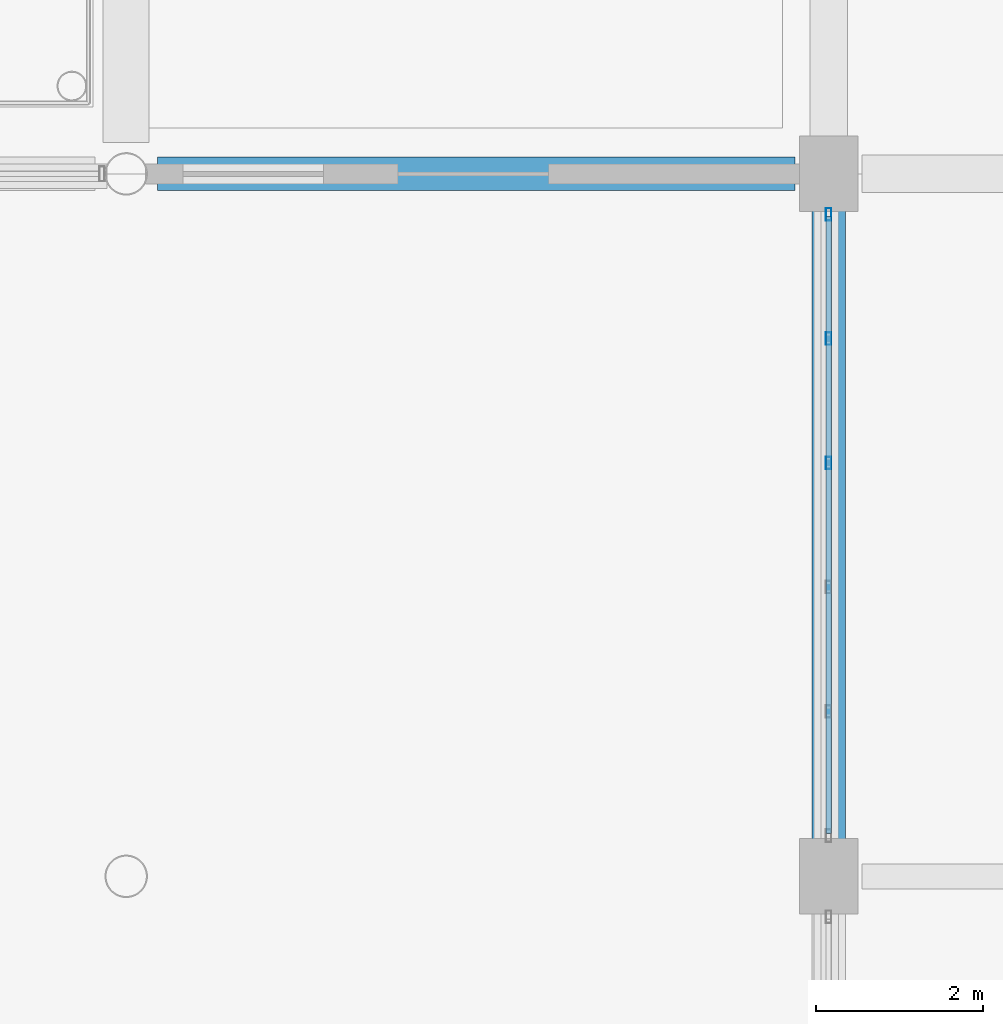
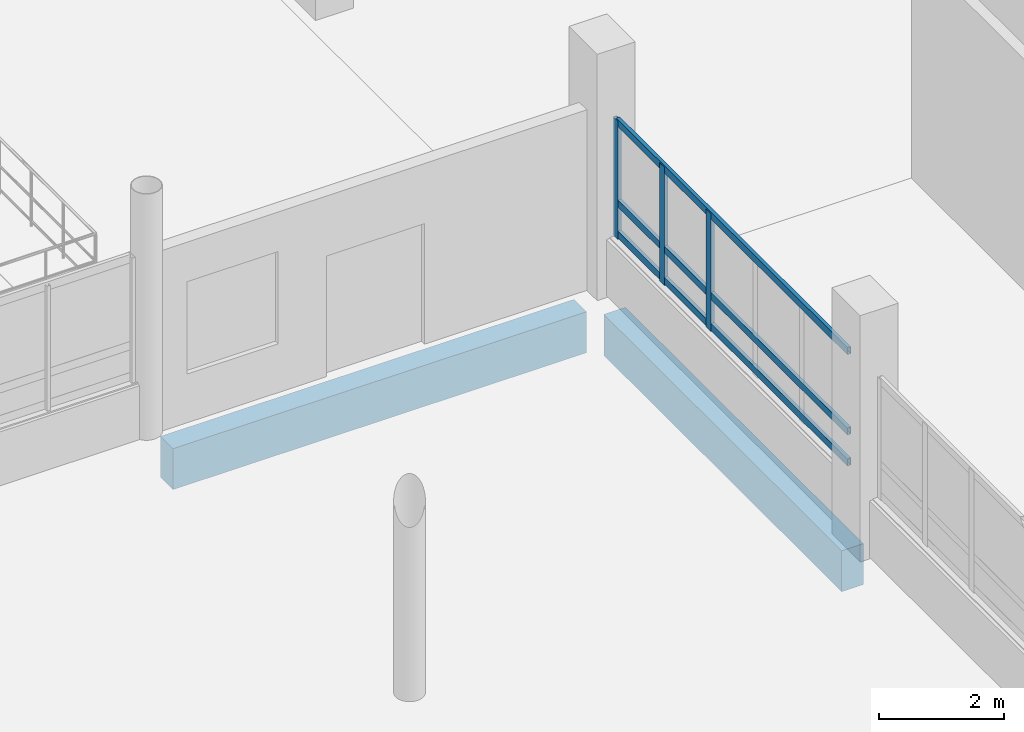
# One storey, part 50 of 95: 6 members, 2 beams, 1 element without a shape of its own.
"""IFC4 building model written with IfcOpenShell, lengths in metres."""

from ifc_helpers import new_model, si_unit, direction, frame, origin, origin_2d, place, context, subcontext, project, spatial, rectangle, hollow_rectangle, extrude, material, layer, layer_set, material_profile, profile_set, type_object, element, aggregate, save


model = new_model("IFC4")

# Units and contexts
model_context = context("Model", 3, precision=1e-05, world=origin(), true_north=direction((0.0, 1.0)))
body_context = subcontext(model_context, "Body", "Model", "MODEL_VIEW")
ifc_project = project(units=[si_unit("LENGTHUNIT", "METRE"), si_unit("AREAUNIT", "SQUARE_METRE"), si_unit("VOLUMEUNIT", "CUBIC_METRE"), si_unit("PLANEANGLEUNIT", "RADIAN"), si_unit("MASSUNIT", "GRAM", prefix="KILO")], contexts=[model_context])

# Site, building, storey
site_placement = place(None, origin())
site = spatial("IfcSite", under=ifc_project, at=site_placement, CompositionType="ELEMENT")
building_placement = place(site_placement, origin())
building = spatial("IfcBuilding", under=site, at=building_placement, Name="Vireocrest Preparatory School", CompositionType="ELEMENT")
storey_placement = place(building_placement, origin())
storey = spatial("IfcBuildingStorey", under=building, at=storey_placement, Name="L00", CompositionType="ELEMENT", Elevation=0.0)

# Curtain wall, members
ifc_material_1 = material(Name="Thermally broken aluminium EN AW-6063-T6", Category="aluminium")
ifc_layer = layer(ifc_material_1, 0.179931640625)
ifc_layer_set = layer_set([ifc_layer], Name="Thermally broken aluminium EN AW-6063-T6")
curtain_wall_type = type_object("IfcCurtainWallType", Name="Court Banded Curtain Wall 8400x3600", PredefinedType="USERDEFINED", material=ifc_layer_set)
curtain_wall_placement = place(storey_placement, origin())
curtain_wall = element("IfcCurtainWall", 1, at=curtain_wall_placement, inside=storey, type_object=curtain_wall_type, Name="Curtain Wall CW01 CW_L00_CW01_0924_0778_012", ObjectType="CURTAIN WALL", PredefinedType="USERDEFINED")
ifc_material_profile_1 = material_profile(ifc_material_1, hollow_rectangle(XDim=0.06494140625, YDim=0.14990234375, WallThickness=0.00390625, at=origin_2d()), Name="ALU 65x150x4")
ifc_profile_set_1 = profile_set([ifc_material_profile_1], Name="Thermally broken aluminium EN AW-6063-T6")
member_type_1 = type_object("IfcMemberType", Name="CW Mullion 65x150x4", PredefinedType="MULLION", material=ifc_profile_set_1)
member_1_placement = place(storey_placement, frame((92.39990234375, 82.343017578125, 1.14990234375), z_axis=(0.0, 0.0, 1.0), x_axis=(1.0, 0.0, 0.0)))
member_1 = element("IfcMember", 2, at=member_1_placement, type_object=member_type_1, Name="CW Mullion ML1 CW_L00_CW01_0924_0778_012-4", PredefinedType="MULLION", context=body_context, shape_type="SweptSolid", body=[
    extrude(hollow_rectangle(XDim=0.06494140625, YDim=0.14990234375, WallThickness=0.00390625, at=origin_2d()), origin(), (0.0, 0.0, 1.0), 2.30517578125),
])
member_2_placement = place(storey_placement, frame((92.39990234375, 83.8291015625, 1.14990234375), z_axis=(0.0, 0.0, 1.0), x_axis=(1.0, 0.0, 0.0)))
member_2 = element("IfcMember", 3, at=member_2_placement, type_object=member_type_1, Name="CW Mullion ML1 CW_L00_CW01_0924_0778_012-5", PredefinedType="MULLION", context=body_context, shape_type="SweptSolid", body=[
    extrude(hollow_rectangle(XDim=0.06494140625, YDim=0.14990234375, WallThickness=0.00390625, at=origin_2d()), origin(), (0.0, 0.0, 1.0), 2.30517578125),
])
member_3_placement = place(storey_placement, frame((92.39990234375, 85.31494140625, 1.14990234375), z_axis=(0.0, 0.0, 1.0), x_axis=(1.0, 0.0, 0.0)))
member_3 = element("IfcMember", 4, at=member_3_placement, type_object=member_type_1, Name="CW Mullion ML1 CW_L00_CW01_0924_0778_012-6", PredefinedType="MULLION", context=body_context, shape_type="SweptSolid", body=[
    extrude(hollow_rectangle(XDim=0.06494140625, YDim=0.14990234375, WallThickness=0.00390625, at=origin_2d()), origin(), (0.0, 0.0, 1.0), 2.30517578125),
])
ifc_material_profile_2 = material_profile(ifc_material_1, hollow_rectangle(XDim=0.06494140625, YDim=0.139892578125, WallThickness=0.00390625, at=origin_2d()), Name="ALU 65x140x4")
ifc_profile_set_2 = profile_set([ifc_material_profile_2], Name="Thermally broken aluminium EN AW-6063-T6")
member_type_2 = type_object("IfcMemberType", Name="CW Transom 65x140x4", PredefinedType="USERDEFINED", material=ifc_profile_set_2)
member_4_placement = place(storey_placement, frame((92.39990234375, 77.909912109375, 1.2451171875), z_axis=(0.0, 1.0, 0.0), x_axis=(-1.0, 0.0, 0.0)))
member_4 = element("IfcMember", 5, at=member_4_placement, type_object=member_type_2, Name="CW Transom TR1 CW_L00_CW01_0924_0778_012-1", ObjectType="TRANSOM", PredefinedType="USERDEFINED", context=body_context, shape_type="SweptSolid", body=[
    extrude(hollow_rectangle(XDim=0.06494140625, YDim=0.139892578125, WallThickness=0.00390625, at=origin_2d()), origin(), (0.0, 0.0, 1.0), 7.380126953125),
])
member_5_placement = place(storey_placement, frame((92.39990234375, 77.909912109375, 1.85009765625), z_axis=(0.0, 1.0, 0.0), x_axis=(-1.0, 0.0, 0.0)))
member_5 = element("IfcMember", 6, at=member_5_placement, type_object=member_type_2, Name="CW Transom TR1 CW_L00_CW01_0924_0778_012-2", ObjectType="TRANSOM", PredefinedType="USERDEFINED", context=body_context, shape_type="SweptSolid", body=[
    extrude(hollow_rectangle(XDim=0.06494140625, YDim=0.139892578125, WallThickness=0.00390625, at=origin_2d()), origin(), (0.0, 0.0, 1.0), 7.380126953125),
])
member_6_placement = place(storey_placement, frame((92.39990234375, 77.909912109375, 3.4150390625), z_axis=(0.0, 1.0, 0.0), x_axis=(-1.0, 0.0, 0.0)))
member_6 = element("IfcMember", 7, at=member_6_placement, type_object=member_type_2, Name="CW Transom TR1 CW_L00_CW01_0924_0778_012-3", ObjectType="TRANSOM", PredefinedType="USERDEFINED", context=body_context, shape_type="SweptSolid", body=[
    extrude(hollow_rectangle(XDim=0.06494140625, YDim=0.139892578125, WallThickness=0.00390625, at=origin_2d()), origin(), (0.0, 0.0, 1.0), 7.380126953125),
])
aggregate(curtain_wall, [member_1, member_2, member_3, member_4, member_5, member_6])

# Beams
ifc_material_2 = material(Name="Concrete 40 MPa", Category="concrete")
ifc_material_profile_3 = material_profile(ifc_material_2, rectangle(XDim=0.39990234375, YDim=0.800048828125, at=origin_2d()), Name="RC 400x800")
ifc_profile_set_3 = profile_set([ifc_material_profile_3], Name="Concrete 40 MPa")
beam_type = type_object("IfcBeamType", Name="RC Library Reading Girder 400x800", PredefinedType="BEAM", material=ifc_profile_set_3)
beam_1_placement = place(storey_placement, frame((84.375, 85.800048828125, -0.75), z_axis=(1.0, 0.0, 0.0), x_axis=(0.0, 1.0, 0.0)))
element("IfcBeam", 8, at=beam_1_placement, inside=storey, type_object=beam_type, Name="Primary Girder B10 L00-0098", PredefinedType="BEAM", context=body_context, shape_type="SweptSolid", body=[
    extrude(rectangle(XDim=0.39990234375, YDim=0.800048828125, at=origin_2d()), origin(), (0.0, 0.0, 1.0), 7.625),
])
beam_2_placement = place(storey_placement, frame((92.39990234375, 77.800048828125, -0.75), z_axis=(0.0, 1.0, 0.0), x_axis=(-1.0, 0.0, 0.0)))
element("IfcBeam", 9, at=beam_2_placement, inside=storey, type_object=beam_type, Name="Primary Girder B10 L00-0201", PredefinedType="BEAM", context=body_context, shape_type="SweptSolid", body=[
    extrude(rectangle(XDim=0.39990234375, YDim=0.800048828125, at=origin_2d()), origin(), (0.0, 0.0, 1.0), 7.599853515625),
])

save(model, "model.ifc")
